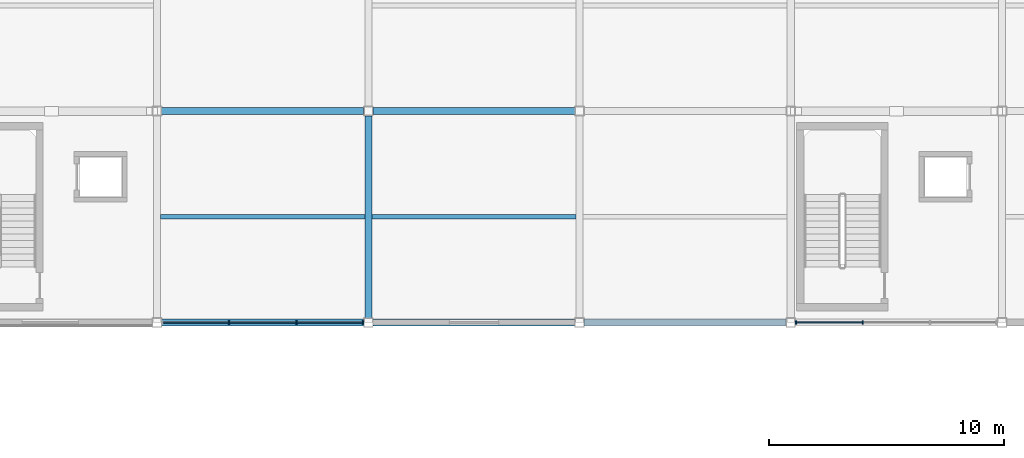
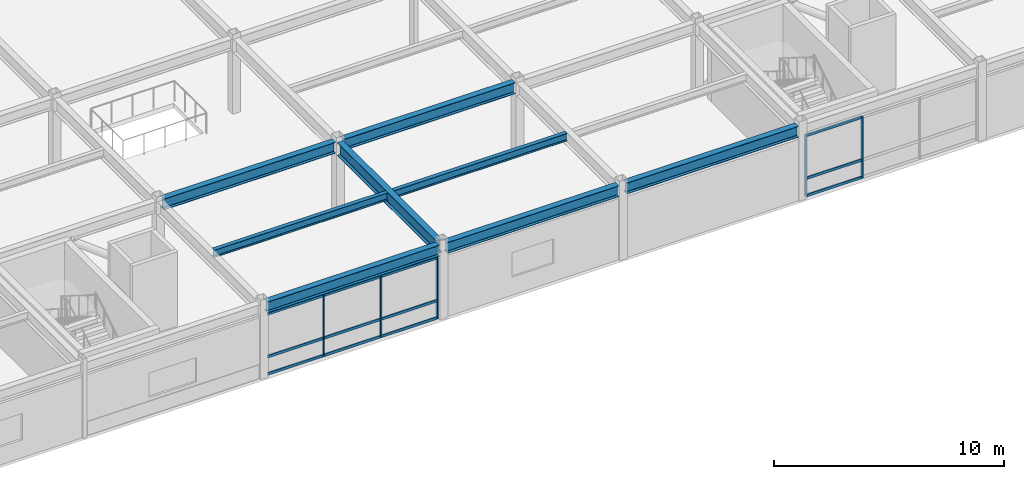
# One storey, part 25 of 70: 17 members, 8 beams, 2 elements without a shape of their own.
"""IFC4 building model written with IfcOpenShell, lengths in metres."""

from ifc_helpers import new_model, si_unit, direction, frame, origin, origin_2d, place, context, subcontext, project, spatial, rectangle, i_section, extrude, material, material_profile, profile_set, type_object, element, aggregate, save


model = new_model("IFC4")

# Units and contexts
model_context = context("Model", 3, precision=1e-05, world=origin(), true_north=direction((0.0, 1.0)))
body_context = subcontext(model_context, "Body", "Model", "MODEL_VIEW")
ifc_project = project(units=[si_unit("LENGTHUNIT", "METRE"), si_unit("AREAUNIT", "SQUARE_METRE"), si_unit("VOLUMEUNIT", "CUBIC_METRE"), si_unit("PLANEANGLEUNIT", "RADIAN"), si_unit("MASSUNIT", "GRAM", prefix="KILO")], contexts=[model_context])

# Site, building, storey
site_placement = place(None, origin())
site = spatial("IfcSite", under=ifc_project, at=site_placement, CompositionType="ELEMENT")
building_placement = place(site_placement, origin())
building = spatial("IfcBuilding", under=site, at=building_placement, Name="Suzunagisa Mobility Hub", CompositionType="ELEMENT")
storey_placement = place(building_placement, frame((0.0, 0.0, 13.5)))
storey = spatial("IfcBuildingStorey", under=building, at=storey_placement, Name="L03", CompositionType="ELEMENT", Elevation=13.5)

# Curtain wall, members
ifc_material_1 = material(Name="Thermally Broken Anodized Aluminum and Low-E Glazing", Category="aluminium")
curtain_wall_type = type_object("IfcCurtainWallType", Name="Unitised Curtain Wall CW-18 8500x3200", PredefinedType="USERDEFINED", material=ifc_material_1)
curtain_wall_1_placement = place(storey_placement, origin())
curtain_wall_1 = element("IfcCurtainWall", 1, at=curtain_wall_1_placement, inside=storey, type_object=curtain_wall_type, Name="L03 Unitised Curtain Wall CW-121", ObjectType="UNITISED CURTAIN WALL", PredefinedType="USERDEFINED")
ifc_material_2 = material(Name="Anodized Aluminum 6063-T6", Category="aluminium")
ifc_material_profile_1 = material_profile(ifc_material_2, rectangle(XDim=0.06494140625, YDim=0.139892578125, at=origin_2d()), Name="TRAN-65x140")
ifc_profile_set_1 = profile_set([ifc_material_profile_1], Name="Anodized Aluminum 6063-T6")
member_type_1 = type_object("IfcMemberType", Name="Curtain Wall Framing CM-01 TRAN-65x140", PredefinedType="USERDEFINED", material=ifc_profile_set_1)
member_1_placement = place(storey_placement, frame((63.258056640625, 80.0, 0.032470703125), z_axis=(1.0, 0.0, 0.0), x_axis=(0.0, 1.0, 0.0)))
member_1 = element("IfcMember", 2, at=member_1_placement, type_object=member_type_1, Name="Curtain Wall Transom 121-T1.1", ObjectType="TRANSOM", PredefinedType="USERDEFINED", context=body_context, shape_type="SweptSolid", body=[
    extrude(rectangle(XDim=0.06494140625, YDim=0.139892578125, at=origin_2d()), origin(), (0.0, 0.0, 1.0), 2.78076171875),
])
member_2_placement = place(storey_placement, frame((63.258056640625, 80.0, 0.949951171875), z_axis=(1.0, 0.0, 0.0), x_axis=(0.0, 1.0, 0.0)))
member_2 = element("IfcMember", 3, at=member_2_placement, type_object=member_type_1, Name="Curtain Wall Transom 121-T1.2", ObjectType="TRANSOM", PredefinedType="USERDEFINED", context=body_context, shape_type="SweptSolid", body=[
    extrude(rectangle(XDim=0.06494140625, YDim=0.139892578125, at=origin_2d()), origin(), (0.0, 0.0, 1.0), 2.78076171875),
])
member_3_placement = place(storey_placement, frame((63.258056640625, 80.0, 3.217529296875), z_axis=(1.0, 0.0, 0.0), x_axis=(0.0, 1.0, 0.0)))
member_3 = element("IfcMember", 4, at=member_3_placement, type_object=member_type_1, Name="Curtain Wall Transom 121-T1.3", ObjectType="TRANSOM", PredefinedType="USERDEFINED", context=body_context, shape_type="SweptSolid", body=[
    extrude(rectangle(XDim=0.06494140625, YDim=0.139892578125, at=origin_2d()), origin(), (0.0, 0.0, 1.0), 2.78076171875),
])
member_4_placement = place(storey_placement, frame((66.0947265625, 80.0, 0.032470703125), z_axis=(1.0, 0.0, 0.0), x_axis=(0.0, 1.0, 0.0)))
member_4 = element("IfcMember", 5, at=member_4_placement, type_object=member_type_1, Name="Curtain Wall Transom 121-T2.1", ObjectType="TRANSOM", PredefinedType="USERDEFINED", context=body_context, shape_type="SweptSolid", body=[
    extrude(rectangle(XDim=0.06494140625, YDim=0.139892578125, at=origin_2d()), origin(), (0.0, 0.0, 1.0), 2.810546875),
])
member_5_placement = place(storey_placement, frame((66.0947265625, 80.0, 0.949951171875), z_axis=(1.0, 0.0, 0.0), x_axis=(0.0, 1.0, 0.0)))
member_5 = element("IfcMember", 6, at=member_5_placement, type_object=member_type_1, Name="Curtain Wall Transom 121-T2.2", ObjectType="TRANSOM", PredefinedType="USERDEFINED", context=body_context, shape_type="SweptSolid", body=[
    extrude(rectangle(XDim=0.06494140625, YDim=0.139892578125, at=origin_2d()), origin(), (0.0, 0.0, 1.0), 2.810546875),
])
member_6_placement = place(storey_placement, frame((66.0947265625, 80.0, 3.217529296875), z_axis=(1.0, 0.0, 0.0), x_axis=(0.0, 1.0, 0.0)))
member_6 = element("IfcMember", 7, at=member_6_placement, type_object=member_type_1, Name="Curtain Wall Transom 121-T2.3", ObjectType="TRANSOM", PredefinedType="USERDEFINED", context=body_context, shape_type="SweptSolid", body=[
    extrude(rectangle(XDim=0.06494140625, YDim=0.139892578125, at=origin_2d()), origin(), (0.0, 0.0, 1.0), 2.810546875),
])
member_7_placement = place(storey_placement, frame((68.961181640625, 80.0, 0.032470703125), z_axis=(1.0, 0.0, 0.0), x_axis=(0.0, 1.0, 0.0)))
member_7 = element("IfcMember", 8, at=member_7_placement, type_object=member_type_1, Name="Curtain Wall Transom 121-T3.1", ObjectType="TRANSOM", PredefinedType="USERDEFINED", context=body_context, shape_type="SweptSolid", body=[
    extrude(rectangle(XDim=0.06494140625, YDim=0.139892578125, at=origin_2d()), origin(), (0.0, 0.0, 1.0), 2.78076171875),
])
member_8_placement = place(storey_placement, frame((68.961181640625, 80.0, 0.949951171875), z_axis=(1.0, 0.0, 0.0), x_axis=(0.0, 1.0, 0.0)))
member_8 = element("IfcMember", 9, at=member_8_placement, type_object=member_type_1, Name="Curtain Wall Transom 121-T3.2", ObjectType="TRANSOM", PredefinedType="USERDEFINED", context=body_context, shape_type="SweptSolid", body=[
    extrude(rectangle(XDim=0.06494140625, YDim=0.139892578125, at=origin_2d()), origin(), (0.0, 0.0, 1.0), 2.78076171875),
])
member_9_placement = place(storey_placement, frame((68.961181640625, 80.0, 3.217529296875), z_axis=(1.0, 0.0, 0.0), x_axis=(0.0, 1.0, 0.0)))
member_9 = element("IfcMember", 10, at=member_9_placement, type_object=member_type_1, Name="Curtain Wall Transom 121-T3.3", ObjectType="TRANSOM", PredefinedType="USERDEFINED", context=body_context, shape_type="SweptSolid", body=[
    extrude(rectangle(XDim=0.06494140625, YDim=0.139892578125, at=origin_2d()), origin(), (0.0, 0.0, 1.0), 2.78076171875),
])

curtain_wall_2_placement = place(storey_placement, origin())
curtain_wall_2 = element("IfcCurtainWall", 11, at=curtain_wall_2_placement, inside=storey, type_object=curtain_wall_type, Name="L03 Unitised Curtain Wall CW-122", ObjectType="UNITISED CURTAIN WALL", PredefinedType="USERDEFINED")
member_10_placement = place(storey_placement, frame((90.258056640625, 80.0, 0.032470703125), z_axis=(1.0, 0.0, 0.0), x_axis=(0.0, 1.0, 0.0)))
member_10 = element("IfcMember", 12, at=member_10_placement, type_object=member_type_1, Name="Curtain Wall Transom 122-T1.1", ObjectType="TRANSOM", PredefinedType="USERDEFINED", context=body_context, shape_type="SweptSolid", body=[
    extrude(rectangle(XDim=0.06494140625, YDim=0.139892578125, at=origin_2d()), origin(), (0.0, 0.0, 1.0), 2.78076171875),
])
member_11_placement = place(storey_placement, frame((90.258056640625, 80.0, 0.949951171875), z_axis=(1.0, 0.0, 0.0), x_axis=(0.0, 1.0, 0.0)))
member_11 = element("IfcMember", 13, at=member_11_placement, type_object=member_type_1, Name="Curtain Wall Transom 122-T1.2", ObjectType="TRANSOM", PredefinedType="USERDEFINED", context=body_context, shape_type="SweptSolid", body=[
    extrude(rectangle(XDim=0.06494140625, YDim=0.139892578125, at=origin_2d()), origin(), (0.0, 0.0, 1.0), 2.78076171875),
])
member_12_placement = place(storey_placement, frame((90.258056640625, 80.0, 3.217529296875), z_axis=(1.0, 0.0, 0.0), x_axis=(0.0, 1.0, 0.0)))
member_12 = element("IfcMember", 14, at=member_12_placement, type_object=member_type_1, Name="Curtain Wall Transom 122-T1.3", ObjectType="TRANSOM", PredefinedType="USERDEFINED", context=body_context, shape_type="SweptSolid", body=[
    extrude(rectangle(XDim=0.06494140625, YDim=0.139892578125, at=origin_2d()), origin(), (0.0, 0.0, 1.0), 2.78076171875),
])

# Member
ifc_material_profile_2 = material_profile(ifc_material_2, rectangle(XDim=0.06005859375, YDim=0.14990234375, at=origin_2d()), Name="MULL-60x150")
ifc_profile_set_2 = profile_set([ifc_material_profile_2], Name="Anodized Aluminum 6063-T6")
member_type_2 = type_object("IfcMemberType", Name="Curtain Wall Framing CM-03 MULL-60x150", PredefinedType="MULLION", material=ifc_profile_set_2)
member_13_placement = place(storey_placement, frame((66.066650390625, 80.0, 0.0), z_axis=(0.0, 0.0, 1.0), x_axis=(1.0, 0.0, 0.0)))
member_13 = element("IfcMember", 15, at=member_13_placement, type_object=member_type_2, Name="Curtain Wall Mullion 121-M2", PredefinedType="MULLION", context=body_context, shape_type="SweptSolid", body=[
    extrude(rectangle(XDim=0.06005859375, YDim=0.14990234375, at=origin_2d()), origin(), (0.0, 0.0, 1.0), 3.25),
])

member_14_placement = place(storey_placement, frame((68.933349609375, 80.0, 0.0), z_axis=(0.0, 0.0, 1.0), x_axis=(1.0, 0.0, 0.0)))
member_14 = element("IfcMember", 16, at=member_14_placement, type_object=member_type_2, Name="Curtain Wall Mullion 121-M3", PredefinedType="MULLION", context=body_context, shape_type="SweptSolid", body=[
    extrude(rectangle(XDim=0.06005859375, YDim=0.14990234375, at=origin_2d()), origin(), (0.0, 0.0, 1.0), 3.25),
])

member_15_placement = place(storey_placement, frame((71.77001953125, 80.0, 0.0), z_axis=(0.0, 0.0, 1.0), x_axis=(1.0, 0.0, 0.0)))
member_15 = element("IfcMember", 17, at=member_15_placement, type_object=member_type_2, Name="Curtain Wall Mullion 121-M4", PredefinedType="MULLION", context=body_context, shape_type="SweptSolid", body=[
    extrude(rectangle(XDim=0.06005859375, YDim=0.14990234375, at=origin_2d()), origin(), (0.0, 0.0, 1.0), 3.25),
])

aggregate(curtain_wall_1, [member_13, member_14, member_15, member_1, member_2, member_3, member_4, member_5, member_6, member_7, member_8, member_9])

member_16_placement = place(storey_placement, frame((90.22998046875, 80.0, 0.0), z_axis=(0.0, 0.0, 1.0), x_axis=(1.0, 0.0, 0.0)))
member_16 = element("IfcMember", 18, at=member_16_placement, type_object=member_type_2, Name="Curtain Wall Mullion 122-M1", PredefinedType="MULLION", context=body_context, shape_type="SweptSolid", body=[
    extrude(rectangle(XDim=0.06005859375, YDim=0.14990234375, at=origin_2d()), origin(), (0.0, 0.0, 1.0), 3.25),
])

member_17_placement = place(storey_placement, frame((93.066650390625, 80.0, 0.0), z_axis=(0.0, 0.0, 1.0), x_axis=(1.0, 0.0, 0.0)))
member_17 = element("IfcMember", 19, at=member_17_placement, type_object=member_type_2, Name="Curtain Wall Mullion 122-M2", PredefinedType="MULLION", context=body_context, shape_type="SweptSolid", body=[
    extrude(rectangle(XDim=0.06005859375, YDim=0.14990234375, at=origin_2d()), origin(), (0.0, 0.0, 1.0), 3.25),
])

aggregate(curtain_wall_2, [member_16, member_17, member_10, member_11, member_12])

# Beams
ifc_material_3 = material(Name="Steel SN490B", Category="steel")
ifc_material_profile_3 = material_profile(ifc_material_3, i_section(OverallWidth=0.300048828125, OverallDepth=0.699951171875, WebThickness=0.012939453125, FlangeThickness=0.02392578125, FilletRadius=0.01806640625, at=origin_2d()), Name="H-700x300x13x24")
ifc_profile_set_3 = profile_set([ifc_material_profile_3], Name="Steel SN490B")
beam_type_1 = type_object("IfcBeamType", Name="Steel Beam BM-11 H-700x300x13x24", PredefinedType="BEAM", material=ifc_profile_set_3)
beam_placement = place(storey_placement, frame((72.0, 80.196044921875, 3.60009765625), z_axis=(0.0, 1.0, 0.0), x_axis=(-1.0, 0.0, 0.0)))
element("IfcBeam", 20, at=beam_placement, inside=storey, type_object=beam_type_1, Name="L03 Primary Girder GY-1075", PredefinedType="BEAM", context=body_context, shape_type="SweptSolid", body=[
    extrude(i_section(OverallWidth=0.300048828125, OverallDepth=0.699951171875, WebThickness=0.012939453125, FlangeThickness=0.02392578125, FilletRadius=0.01806640625, at=origin_2d()), origin(), (0.0, 0.0, 1.0), 8.60791015625),
])
ifc_material_4 = material(Name="Steel SN400B", Category="steel")
ifc_material_profile_4 = material_profile(ifc_material_4, i_section(OverallWidth=0.199951171875, OverallDepth=0.39990234375, WebThickness=0.008056640625, FlangeThickness=0.012939453125, FilletRadius=0.012939453125, at=origin_2d()), Name="H-400x200x8x13")
ifc_profile_set_4 = profile_set([ifc_material_profile_4], Name="Steel SN400B")
beam_type_2 = type_object("IfcBeamType", Name="Steel Beam BM-14 H-400x200x8x13", PredefinedType="JOIST", material=ifc_profile_set_4)
for number, where, z_axis, x_axis, name in (
    (21, (63.14990234375, 84.5, 3.75), (1.0, 0.0, 0.0), (0.0, 1.0, 0.0), "L03 Composite Floor Joist J-1102"),
    (22, (72.14990234375, 84.5, 3.75), (1.0, 0.0, 0.0), (0.0, 1.0, 0.0), "L03 Composite Floor Joist J-1104"),
):
    element("IfcBeam", number, at=place(storey_placement, frame(where, z_axis=z_axis, x_axis=x_axis)), inside=storey, type_object=beam_type_2, Name=name, PredefinedType="JOIST", context=body_context, shape_type="SweptSolid", body=[
        extrude(i_section(OverallWidth=0.199951171875, OverallDepth=0.39990234375, WebThickness=0.008056640625, FlangeThickness=0.012939453125, FilletRadius=0.012939453125, at=origin_2d()), origin(), (0.0, 0.0, 1.0), 8.7001953125),
    ])
ifc_material_profile_5 = material_profile(ifc_material_3, i_section(OverallWidth=0.300048828125, OverallDepth=0.587890625, WebThickness=0.011962890625, FlangeThickness=0.02001953125, FilletRadius=0.012939453125, at=origin_2d()), Name="H-588x300x12x20")
ifc_profile_set_5 = profile_set([ifc_material_profile_5], Name="Steel SN490B")
beam_type_3 = type_object("IfcBeamType", Name="Steel Beam BM-16 H-588x300x12x20", PredefinedType="BEAM", material=ifc_profile_set_5)
for number, where, z_axis, x_axis, name in (
    (23, (63.196044921875, 80.0, 3.656005859375), (1.0, 0.0, 0.0), (0.0, 1.0, 0.0), "L03 Primary Girder GX-1030"),
    (24, (72.196044921875, 80.0, 3.656005859375), (1.0, 0.0, 0.0), (0.0, 1.0, 0.0), "L03 Primary Girder GX-1031"),
    (25, (81.196044921875, 80.0, 3.656005859375), (1.0, 0.0, 0.0), (0.0, 1.0, 0.0), "L03 Primary Girder GX-1032"),
    (26, (63.196044921875, 89.0, 3.656005859375), (1.0, 0.0, 0.0), (0.0, 1.0, 0.0), "L03 Primary Girder GX-1037"),
    (27, (72.196044921875, 89.0, 3.656005859375), (1.0, 0.0, 0.0), (0.0, 1.0, 0.0), "L03 Primary Girder GX-1038"),
):
    element("IfcBeam", number, at=place(storey_placement, frame(where, z_axis=z_axis, x_axis=x_axis)), inside=storey, type_object=beam_type_3, Name=name, PredefinedType="BEAM", context=body_context, shape_type="SweptSolid", body=[
        extrude(i_section(OverallWidth=0.300048828125, OverallDepth=0.587890625, WebThickness=0.011962890625, FlangeThickness=0.02001953125, FilletRadius=0.012939453125, at=origin_2d()), origin(), (0.0, 0.0, 1.0), 8.60791015625),
    ])

save(model, "model.ifc")
